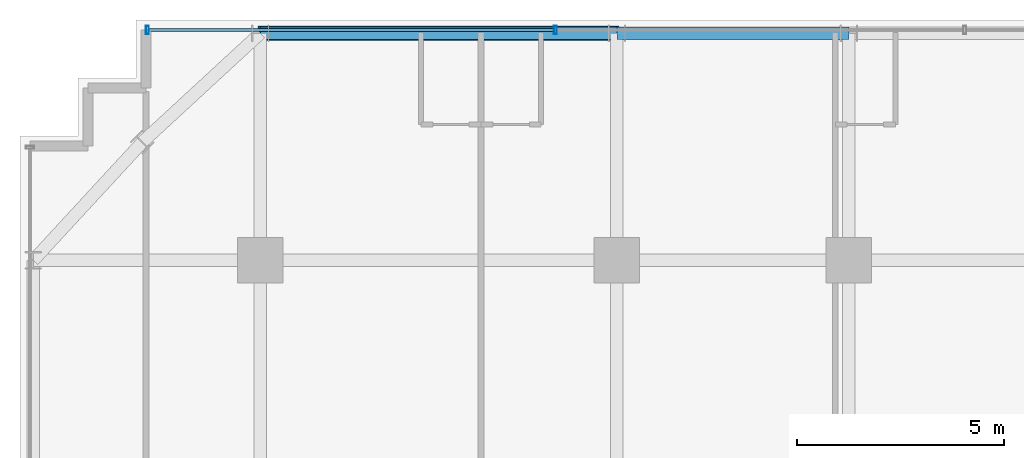
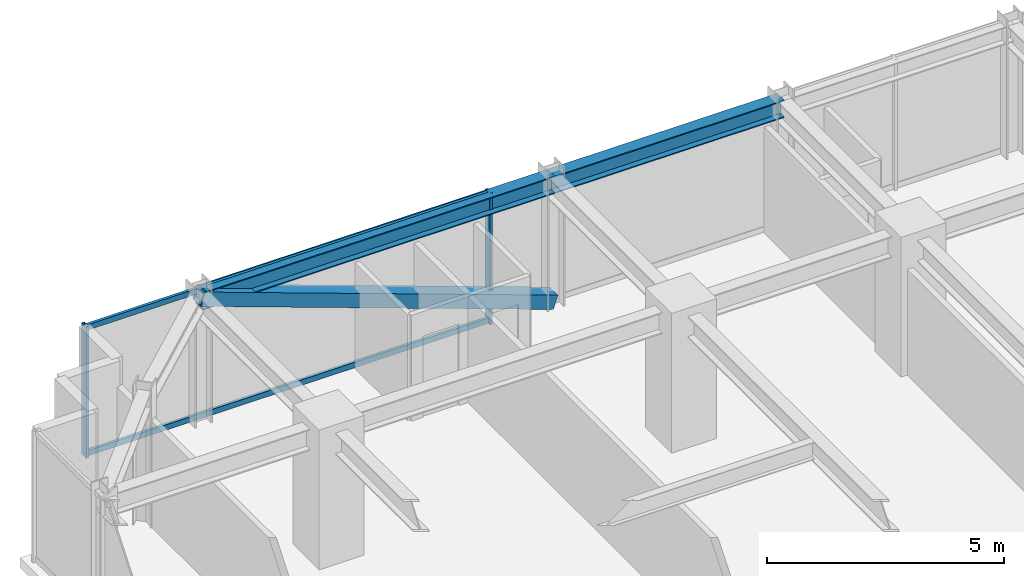
# One storey, part 23 of 38: 5 members, 2 beams, 1 element without a shape of its own.
"""IFC4 building model written with IfcOpenShell, lengths in metres."""

from ifc_helpers import new_model, si_unit, direction, frame, origin, origin_2d, place, context, subcontext, project, spatial, hollow_rectangle, i_section, extrude, source, transform, mapped, material, material_profile, profile_set, type_object, element, aggregate, save


model = new_model("IFC4")

# Units and contexts
model_context = context("Model", 3, precision=1e-05, world=origin(), true_north=direction((0.0, 1.0)))
body_context = subcontext(model_context, "Body", "Model", "MODEL_VIEW")
ifc_project = project(units=[si_unit("LENGTHUNIT", "METRE"), si_unit("AREAUNIT", "SQUARE_METRE"), si_unit("VOLUMEUNIT", "CUBIC_METRE"), si_unit("PLANEANGLEUNIT", "RADIAN"), si_unit("MASSUNIT", "GRAM", prefix="KILO")], contexts=[model_context])

# Site, building, storey
site_placement = place(None, origin())
site = spatial("IfcSite", under=ifc_project, at=site_placement, CompositionType="ELEMENT")
building_placement = place(site_placement, origin())
building = spatial("IfcBuilding", under=site, at=building_placement, Name="Nahalor Promenade Grand Hotel", CompositionType="ELEMENT")
storey_placement = place(building_placement, frame((0.0, 0.0, 178.199951171875)))
storey = spatial("IfcBuildingStorey", under=building, at=storey_placement, Name="L45", CompositionType="ELEMENT", Elevation=178.199951171875)

# Beams
ifc_material_1 = material(Name="Steel S355JR", Category="steel")
ifc_material_profile_1 = material_profile(ifc_material_1, i_section(OverallWidth=0.3, OverallDepth=0.45, WebThickness=0.014, FlangeThickness=0.026, at=origin_2d()), Name="HEB 450")
ifc_profile_set_1 = profile_set([ifc_material_profile_1], Name="Steel S355JR")
beam_type = type_object("IfcBeamType", Name="Beam-Spandrel-HEB450", PredefinedType="SPANDREL", material=ifc_profile_set_1)
shared_shape_1 = source(origin(), body_context, "Body", "SweptSolid", [
    extrude(i_section(OverallWidth=0.3, OverallDepth=0.45, WebThickness=0.014, FlangeThickness=0.026, at=origin_2d()), origin(), (0.0, 0.0, 1.0), 8.60009765625),
])
beam_1_placement = place(storey_placement, frame((-17.0, 22.47998046875, 3.1650390625), z_axis=(1.0, 0.0, 0.0), x_axis=(0.0, 1.0, 0.0)))
element("IfcBeam", 1, at=beam_1_placement, inside=storey, type_object=beam_type, Name="BM-L45-SP-N-0", PredefinedType="SPANDREL", context=body_context, shape_type="MappedRepresentation", body=[
    mapped(shared_shape_1, transform((0.0, 0.0, 0.0), scale=1.0)),
])
shared_shape_2 = source(origin(), body_context, "Body", "SweptSolid", [
    extrude(i_section(OverallWidth=0.3, OverallDepth=0.45, WebThickness=0.014, FlangeThickness=0.026, at=origin_2d()), origin(), (0.0, 0.0, 1.0), 5.599853515625),
])
beam_2_placement = place(storey_placement, frame((-8.39990234375, 22.47998046875, 3.1650390625), z_axis=(1.0, 0.0, 0.0), x_axis=(0.0, 1.0, 0.0)))
element("IfcBeam", 2, at=beam_2_placement, inside=storey, type_object=beam_type, Name="BM-L45-SP-N-1", PredefinedType="SPANDREL", context=body_context, shape_type="MappedRepresentation", body=[
    mapped(shared_shape_2, transform((0.0, 0.0, 0.0), scale=1.0)),
])

# Member
ifc_material_profile_2 = material_profile(ifc_material_1, hollow_rectangle(XDim=0.35, YDim=0.35, WallThickness=0.02, at=origin_2d()), Name="SHS 350x350x20")
ifc_profile_set_2 = profile_set([ifc_material_profile_2], Name="Steel S355JR")
member_type_1 = type_object("IfcMemberType", Name="Mem-VoidBrace-SHS350", PredefinedType="BRACE", material=ifc_profile_set_2)
shared_shape_3 = source(origin(), body_context, "Body", "SweptSolid", [
    extrude(hollow_rectangle(XDim=0.35, YDim=0.35, WallThickness=0.02, at=origin_2d()), origin(), (0.0, 0.0, 1.0), 9.138427734375),
])
member_1_placement = place(storey_placement, frame((-8.39990234375, 22.47998046875, 0.150146484375), z_axis=(-0.941103144716, 0.0, 0.338119610501), x_axis=(0.0, -1.0, 0.0)))
element("IfcMember", 3, at=member_1_placement, inside=storey, type_object=member_type_1, Name="EXO-L45-N-0", PredefinedType="BRACE", context=body_context, shape_type="MappedRepresentation", body=[
    mapped(shared_shape_3, transform((0.0, 0.0, 0.0), scale=1.0)),
])

# Curtain wall, members
ifc_material_2 = material(Name="Anodised Bronze Aluminium EN AW-6063 T6", Category="aluminium")
curtain_wall_type = type_object("IfcCurtainWallType", Name="CW3 Elliptical-Void Collar Unitised Curtain Wall", PredefinedType="USERDEFINED", material=ifc_material_2)
curtain_wall_placement = place(storey_placement, origin())
curtain_wall = element("IfcCurtainWall", 4, at=curtain_wall_placement, inside=storey, type_object=curtain_wall_type, Name="L45 Curtain Wall CW-L45-N-1", ObjectType="UNITISED_CURTAIN_WALL", PredefinedType="USERDEFINED")
ifc_material_profile_3 = material_profile(ifc_material_2, hollow_rectangle(XDim=0.07, YDim=0.2, WallThickness=0.005, at=origin_2d()), Name="CWM 70x200x5")
ifc_profile_set_3 = profile_set([ifc_material_profile_3], Name="Anodised Bronze Aluminium EN AW-6063 T6")
member_type_2 = type_object("IfcMemberType", Name="CWM3 Void Collar Mullion 70x200", PredefinedType="MULLION", material=ifc_profile_set_3)
shared_shape_4 = source(origin(), body_context, "Body", "SweptSolid", [
    extrude(hollow_rectangle(XDim=0.07, YDim=0.2, WallThickness=0.005, at=origin_2d()), origin(), (0.0, 0.0, 1.0), 3.39013671875),
])
member_2_placement = place(storey_placement, frame((-19.72509765625, 22.56005859375, 0.0), z_axis=(0.0, 0.0, 1.0), x_axis=(1.0, 0.0, 0.0)))
member_2 = element("IfcMember", 5, at=member_2_placement, type_object=member_type_2, Name="CW-L45-N-1 Mullion 0", PredefinedType="MULLION", context=body_context, shape_type="MappedRepresentation", body=[
    mapped(shared_shape_4, transform((0.0, 0.0, 0.0), scale=1.0)),
])
member_3_placement = place(storey_placement, frame((-9.8798828125, 22.56005859375, 0.0), z_axis=(0.0, 0.0, 1.0), x_axis=(1.0, 0.0, 0.0)))
member_3 = element("IfcMember", 6, at=member_3_placement, type_object=member_type_2, Name="CW-L45-N-1 Mullion 1", PredefinedType="MULLION", context=body_context, shape_type="MappedRepresentation", body=[
    mapped(shared_shape_4, transform((0.0, 0.0, 0.0), scale=1.0)),
])
ifc_material_profile_4 = material_profile(ifc_material_2, hollow_rectangle(XDim=0.07, YDim=0.14, WallThickness=0.004, at=origin_2d()), Name="CWT 70x140x4")
ifc_profile_set_4 = profile_set([ifc_material_profile_4], Name="Anodised Bronze Aluminium EN AW-6063 T6")
member_type_3 = type_object("IfcMemberType", Name="CWT3 Void Collar Transom 70x140", PredefinedType="USERDEFINED", material=ifc_profile_set_4)
shared_shape_5 = source(origin(), body_context, "Body", "SweptSolid", [
    extrude(hollow_rectangle(XDim=0.07, YDim=0.14, WallThickness=0.004, at=origin_2d()), origin(), (0.0, 0.0, 1.0), 9.77490234375),
])
member_4_placement = place(storey_placement, frame((-19.68994140625, 22.56005859375, 0.070068359375), z_axis=(1.0, 0.0, 0.0), x_axis=(0.0, 1.0, 0.0)))
member_4 = element("IfcMember", 7, at=member_4_placement, type_object=member_type_3, Name="CW-L45-N-1 Transom 0-0", ObjectType="TRANSOM", PredefinedType="USERDEFINED", context=body_context, shape_type="MappedRepresentation", body=[
    mapped(shared_shape_5, transform((0.0, 0.0, 0.0), scale=1.0)),
])
member_5_placement = place(storey_placement, frame((-19.68994140625, 22.56005859375, 3.320068359375), z_axis=(1.0, 0.0, 0.0), x_axis=(0.0, 1.0, 0.0)))
member_5 = element("IfcMember", 8, at=member_5_placement, type_object=member_type_3, Name="CW-L45-N-1 Transom 0-1", ObjectType="TRANSOM", PredefinedType="USERDEFINED", context=body_context, shape_type="MappedRepresentation", body=[
    mapped(shared_shape_5, transform((0.0, 0.0, 0.0), scale=1.0)),
])
aggregate(curtain_wall, [member_2, member_3, member_4, member_5])

save(model, "model.ifc")
